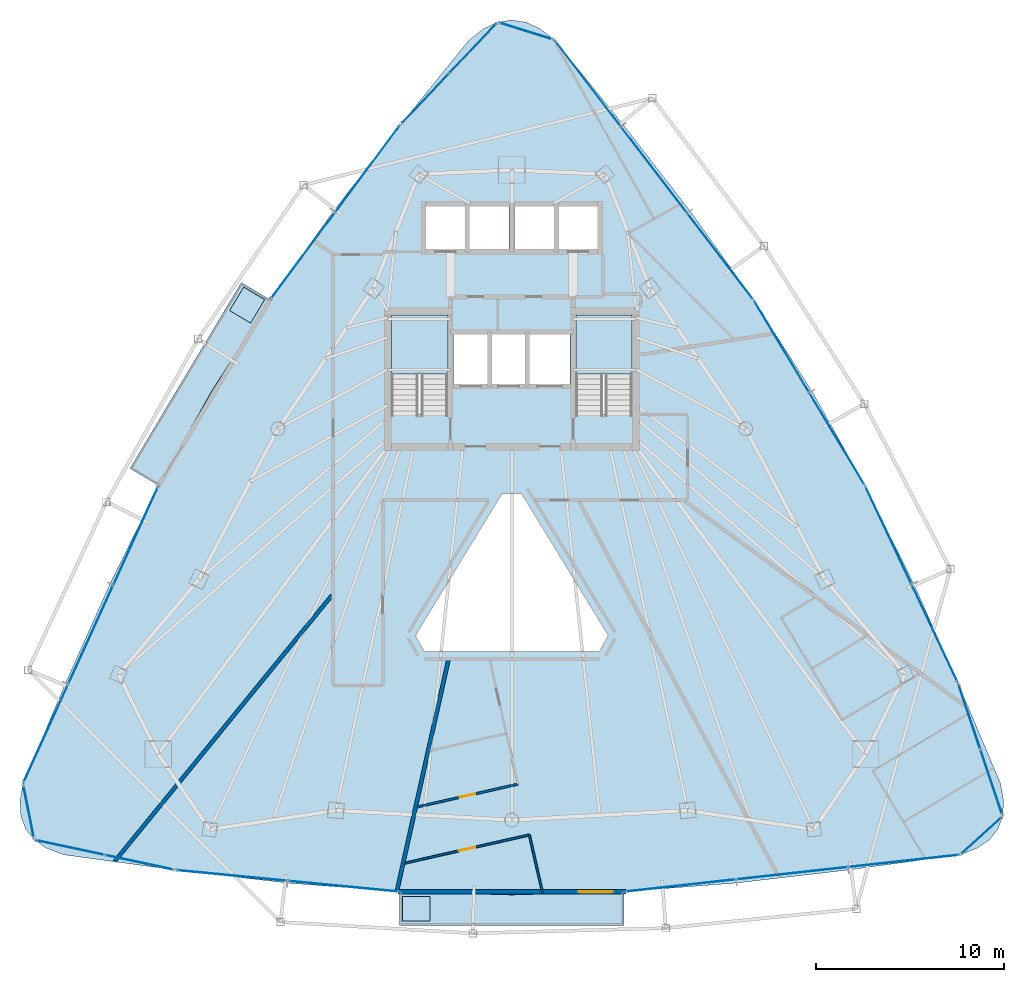
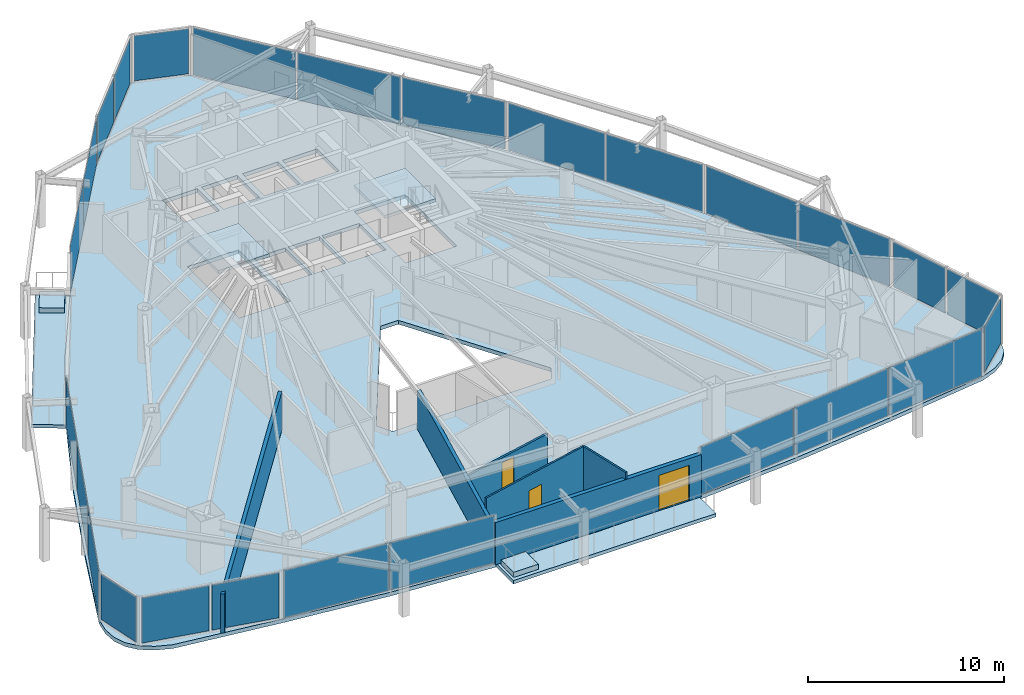
# One storey, part 27 of 33: 26 plates, 7 slabs, 6 walls, 3 doors, 3 openings, 15 elements without a shape of their own.
"""IFC4 building model written with IfcOpenShell, lengths in metres."""

from ifc_helpers import new_model, si_unit, direction, frame, frame_2d, origin, origin_2d, place, context, subcontext, project, spatial, polyline, rectangle, outline, extrude, material, layer, layer_set, type_object, element, fill, aggregate, save


model = new_model("IFC4")

# Units and contexts
model_context = context("Model", 3, precision=1e-05, world=origin(), true_north=direction((0.0, 1.0)))
body_context = subcontext(model_context, "Body", "Model", "MODEL_VIEW")
ifc_project = project(units=[si_unit("LENGTHUNIT", "METRE"), si_unit("AREAUNIT", "SQUARE_METRE"), si_unit("VOLUMEUNIT", "CUBIC_METRE"), si_unit("PLANEANGLEUNIT", "RADIAN"), si_unit("MASSUNIT", "GRAM", prefix="KILO")], contexts=[model_context])

# Site, building, storey
site_placement = place(None, origin())
site = spatial("IfcSite", under=ifc_project, at=site_placement, CompositionType="ELEMENT")
building_placement = place(site_placement, origin())
building = spatial("IfcBuilding", under=site, at=building_placement, Name="Orvanel Arch Residences", CompositionType="ELEMENT")
storey_placement = place(building_placement, frame((0.0, 0.0, 116.60009765625)))
storey = spatial("IfcBuildingStorey", under=building, at=storey_placement, Name="L32", CompositionType="ELEMENT", Elevation=116.60009765625)

# Curtain wall, plates
ifc_material_1 = material(Name="Bronze-anodised aluminium AA6063-T6", Category="aluminium")
ifc_layer_1 = layer(ifc_material_1, 0.179931640625)
ifc_layer_set_1 = layer_set([ifc_layer_1], Name="Bronze-anodised aluminium AA6063-T6")
curtain_wall_type_1 = type_object("IfcCurtainWallType", Name="CW3-MID-SYS", PredefinedType="NOTDEFINED", material=ifc_layer_set_1)
curtain_wall_1_placement = place(storey_placement, origin())
curtain_wall_1 = element("IfcCurtainWall", 1, at=curtain_wall_1_placement, inside=storey, type_object=curtain_wall_type_1, Name="L32 CW3-MID-SYS Unitised Curtain Wall", PredefinedType="NOTDEFINED")
ifc_material_2 = material(Name="Double-glazed solar-control low-E safety glass", Category="glass")
ifc_layer_2 = layer(ifc_material_2, 0.028076171875)
ifc_layer_set_2 = layer_set([ifc_layer_2], Name="Double-glazed solar-control low-E safety glass")
plate_type_1 = type_object("IfcPlateType", Name="PNL-GLZ-28", PredefinedType="CURTAIN_PANEL", material=ifc_layer_set_2)
plate_1_placement = place(storey_placement, frame((25.31982421875, 41.446044921875, 0.059814453125), z_axis=(0.0, 0.0, 1.0), x_axis=(-0.59716769739, -0.802116413742, 0.0)))
plate_1 = element("IfcPlate", 2, at=plate_1_placement, type_object=plate_type_1, Name="CW-S3 panel 1.1", PredefinedType="CURTAIN_PANEL", context=body_context, shape_type="SweptSolid", body=[
    extrude(rectangle(XDim=5.664794921875, YDim=0.028076171875, at=origin_2d()), origin(), (0.0, 0.0, 1.0), 2.93994140625),
])
plate_2_placement = place(storey_placement, frame((21.895263671875, 36.845947265625, 0.059814453125), z_axis=(0.0, 0.0, 1.0), x_axis=(-0.59716769739, -0.802116413742, 0.0)))
plate_2 = element("IfcPlate", 3, at=plate_2_placement, type_object=plate_type_1, Name="CW-S3 panel 2.1", PredefinedType="CURTAIN_PANEL", context=body_context, shape_type="SweptSolid", body=[
    extrude(rectangle(XDim=5.664794921875, YDim=0.028076171875, at=origin_2d()), origin(), (0.0, 0.0, 1.0), 2.93994140625),
])
aggregate(curtain_wall_1, [plate_1, plate_2])

curtain_wall_2_placement = place(storey_placement, origin())
curtain_wall_2 = element("IfcCurtainWall", 4, at=curtain_wall_2_placement, inside=storey, type_object=curtain_wall_type_1, Name="L32 CW3-MID-SYS Unitised Curtain Wall", PredefinedType="NOTDEFINED")
plate_3_placement = place(storey_placement, frame((13.010009765625, 21.955322265625, 0.059814453125), z_axis=(0.0, 0.0, 1.0), x_axis=(-0.414115489097, -0.9102243469, 0.0)))
plate_3 = element("IfcPlate", 5, at=plate_3_placement, type_object=plate_type_1, Name="CW-S3 panel 1.1", PredefinedType="CURTAIN_PANEL", context=body_context, shape_type="SweptSolid", body=[
    extrude(rectangle(XDim=5.679931640625, YDim=0.028076171875, at=origin_2d()), origin(), (0.0, 0.0, 1.0), 2.93994140625),
])
plate_4_placement = place(storey_placement, frame((10.62158203125, 16.70556640625, 0.059814453125), z_axis=(0.0, 0.0, 1.0), x_axis=(-0.414115489097, -0.9102243469, 0.0)))
plate_4 = element("IfcPlate", 6, at=plate_4_placement, type_object=plate_type_1, Name="CW-S3 panel 2.1", PredefinedType="CURTAIN_PANEL", context=body_context, shape_type="SweptSolid", body=[
    extrude(rectangle(XDim=5.715087890625, YDim=0.028076171875, at=origin_2d()), origin(), (0.0, 0.0, 1.0), 2.93994140625),
])
plate_5_placement = place(storey_placement, frame((8.233154296875, 11.455810546875, 0.059814453125), z_axis=(0.0, 0.0, 1.0), x_axis=(-0.414115489097, -0.9102243469, 0.0)))
plate_5 = element("IfcPlate", 7, at=plate_5_placement, type_object=plate_type_1, Name="CW-S3 panel 3.1", PredefinedType="CURTAIN_PANEL", context=body_context, shape_type="SweptSolid", body=[
    extrude(rectangle(XDim=5.679931640625, YDim=0.028076171875, at=origin_2d()), origin(), (0.0, 0.0, 1.0), 2.93994140625),
])
aggregate(curtain_wall_2, [plate_3, plate_4, plate_5])

curtain_wall_3_placement = place(storey_placement, origin())
curtain_wall_3 = element("IfcCurtainWall", 8, at=curtain_wall_3_placement, inside=storey, type_object=curtain_wall_type_1, Name="L32 CW3-MID-SYS Unitised Curtain Wall", PredefinedType="NOTDEFINED")
plate_6_placement = place(storey_placement, frame((18.130615234375, 3.894287109375, 0.059814453125), z_axis=(0.0, 0.0, 1.0), x_axis=(0.995361152197, -0.09620902607, 0.0)))
plate_6 = element("IfcPlate", 9, at=plate_6_placement, type_object=plate_type_1, Name="CW-S3 panel 1.1", PredefinedType="CURTAIN_PANEL", context=body_context, shape_type="SweptSolid", body=[
    extrude(rectangle(XDim=5.861083984375, YDim=0.028076171875, at=origin_2d()), origin(), (0.0, 0.0, 1.0), 2.93994140625),
])
plate_7_placement = place(storey_placement, frame((24.034423828125, 3.32373046875, 0.059814453125), z_axis=(0.0, 0.0, 1.0), x_axis=(0.995361152197, -0.09620902607, 0.0)))
plate_7 = element("IfcPlate", 10, at=plate_7_placement, type_object=plate_type_1, Name="CW-S3 panel 2.1", PredefinedType="CURTAIN_PANEL", context=body_context, shape_type="SweptSolid", body=[
    extrude(rectangle(XDim=5.861083984375, YDim=0.028076171875, at=origin_2d()), origin(), (0.0, 0.0, 1.0), 2.93994140625),
])
aggregate(curtain_wall_3, [plate_6, plate_7])

curtain_wall_4_placement = place(storey_placement, origin())
curtain_wall_4 = element("IfcCurtainWall", 11, at=curtain_wall_4_placement, inside=storey, type_object=curtain_wall_type_1, Name="L32 CW3-MID-SYS Unitised Curtain Wall", PredefinedType="NOTDEFINED")
plate_8_placement = place(storey_placement, frame((41.968994140625, 3.364013671875, 0.059814453125), z_axis=(0.0, 0.0, 1.0), x_axis=(0.99399805501, 0.109397745116, 0.0)))
plate_8 = element("IfcPlate", 12, at=plate_8_placement, type_object=plate_type_1, Name="CW-S3 panel 1.1", PredefinedType="CURTAIN_PANEL", context=body_context, shape_type="SweptSolid", body=[
    extrude(rectangle(XDim=5.876220703125, YDim=0.028076171875, at=origin_2d()), origin(), (0.0, 0.0, 1.0), 2.93994140625),
])
plate_9_placement = place(storey_placement, frame((47.89697265625, 4.0166015625, 0.059814453125), z_axis=(0.0, 0.0, 1.0), x_axis=(0.99399805501, 0.109397745116, 0.0)))
plate_9 = element("IfcPlate", 13, at=plate_9_placement, type_object=plate_type_1, Name="CW-S3 panel 2.1", PredefinedType="CURTAIN_PANEL", context=body_context, shape_type="SweptSolid", body=[
    extrude(rectangle(XDim=5.9111328125, YDim=0.028076171875, at=origin_2d()), origin(), (0.0, 0.0, 1.0), 2.93994140625),
])
plate_10_placement = place(storey_placement, frame((53.824951171875, 4.6689453125, 0.059814453125), z_axis=(0.0, 0.0, 1.0), x_axis=(0.99399805501, 0.109397745116, 0.0)))
plate_10 = element("IfcPlate", 14, at=plate_10_placement, type_object=plate_type_1, Name="CW-S3 panel 3.1", PredefinedType="CURTAIN_PANEL", context=body_context, shape_type="SweptSolid", body=[
    extrude(rectangle(XDim=5.876220703125, YDim=0.028076171875, at=origin_2d()), origin(), (0.0, 0.0, 1.0), 2.93994140625),
])
aggregate(curtain_wall_4, [plate_8, plate_9, plate_10])

curtain_wall_5_placement = place(storey_placement, origin())
curtain_wall_5 = element("IfcCurtainWall", 15, at=curtain_wall_5_placement, inside=storey, type_object=curtain_wall_type_1, Name="L32 CW3-MID-SYS Unitised Curtain Wall", PredefinedType="NOTDEFINED")
plate_11_placement = place(storey_placement, frame((55.468505859375, 16.791259765625, 0.059814453125), z_axis=(0.0, 0.0, 1.0), x_axis=(-0.426364535184, 0.904551426474, 0.0)))
plate_11 = element("IfcPlate", 16, at=plate_11_placement, type_object=plate_type_1, Name="CW-S3 panel 1.1", PredefinedType="CURTAIN_PANEL", context=body_context, shape_type="SweptSolid", body=[
    extrude(rectangle(XDim=5.664794921875, YDim=0.028076171875, at=origin_2d()), origin(), (0.0, 0.0, 1.0), 2.93994140625),
])
plate_12_placement = place(storey_placement, frame((53.0234375, 21.978759765625, 0.059814453125), z_axis=(0.0, 0.0, 1.0), x_axis=(-0.426364535184, 0.904551426474, 0.0)))
plate_12 = element("IfcPlate", 17, at=plate_12_placement, type_object=plate_type_1, Name="CW-S3 panel 2.1", PredefinedType="CURTAIN_PANEL", context=body_context, shape_type="SweptSolid", body=[
    extrude(rectangle(XDim=5.664794921875, YDim=0.028076171875, at=origin_2d()), origin(), (0.0, 0.0, 1.0), 2.93994140625),
])
aggregate(curtain_wall_5, [plate_11, plate_12])

curtain_wall_6_placement = place(storey_placement, origin())
curtain_wall_6 = element("IfcCurtainWall", 18, at=curtain_wall_6_placement, inside=storey, type_object=curtain_wall_type_1, Name="L32 CW3-MID-SYS Unitised Curtain Wall", PredefinedType="NOTDEFINED")
plate_13_placement = place(storey_placement, frame((50.28125, 27.115478515625, 0.059814453125), z_axis=(0.0, 0.0, 1.0), x_axis=(-0.514457331608, 0.857515978834, 0.0)))
plate_13 = element("IfcPlate", 19, at=plate_13_placement, type_object=plate_type_1, Name="CW-S3 panel 1.1", PredefinedType="CURTAIN_PANEL", context=body_context, shape_type="SweptSolid", body=[
    extrude(rectangle(XDim=5.635986328125, YDim=0.028076171875, at=origin_2d()), origin(), (0.0, 0.0, 1.0), 2.93994140625),
])
plate_14_placement = place(storey_placement, frame((47.345703125, 32.008544921875, 0.059814453125), z_axis=(0.0, 0.0, 1.0), x_axis=(-0.514457331608, 0.857515978834, 0.0)))
plate_14 = element("IfcPlate", 20, at=plate_14_placement, type_object=plate_type_1, Name="CW-S3 panel 2.1", PredefinedType="CURTAIN_PANEL", context=body_context, shape_type="SweptSolid", body=[
    extrude(rectangle(XDim=5.635986328125, YDim=0.028076171875, at=origin_2d()), origin(), (0.0, 0.0, 1.0), 2.93994140625),
])
aggregate(curtain_wall_6, [plate_13, plate_14])

curtain_wall_7_placement = place(storey_placement, origin())
curtain_wall_7 = element("IfcCurtainWall", 21, at=curtain_wall_7_placement, inside=storey, type_object=curtain_wall_type_1, Name="L32 CW3-MID-SYS Unitised Curtain Wall", PredefinedType="NOTDEFINED")
plate_15_placement = place(storey_placement, frame((44.068603515625, 36.828125, 0.059814453125), z_axis=(0.0, 0.0, 1.0), x_axis=(-0.608091558713, 0.793866900823, 0.0)))
plate_15 = element("IfcPlate", 22, at=plate_15_placement, type_object=plate_type_1, Name="CW-S3 panel 1.1", PredefinedType="CURTAIN_PANEL", context=body_context, shape_type="SweptSolid", body=[
    extrude(rectangle(XDim=5.6796875, YDim=0.028076171875, at=origin_2d()), origin(), (0.0, 0.0, 1.0), 2.93994140625),
])
plate_16_placement = place(storey_placement, frame((40.5615234375, 41.406494140625, 0.059814453125), z_axis=(0.0, 0.0, 1.0), x_axis=(-0.608091558713, 0.793866900823, 0.0)))
plate_16 = element("IfcPlate", 23, at=plate_16_placement, type_object=plate_type_1, Name="CW-S3 panel 2.1", PredefinedType="CURTAIN_PANEL", context=body_context, shape_type="SweptSolid", body=[
    extrude(rectangle(XDim=5.71484375, YDim=0.028076171875, at=origin_2d()), origin(), (0.0, 0.0, 1.0), 2.93994140625),
])
plate_17_placement = place(storey_placement, frame((37.054443359375, 45.98486328125, 0.059814453125), z_axis=(0.0, 0.0, 1.0), x_axis=(-0.608091558713, 0.793866900823, 0.0)))
plate_17 = element("IfcPlate", 24, at=plate_17_placement, type_object=plate_type_1, Name="CW-S3 panel 3.1", PredefinedType="CURTAIN_PANEL", context=body_context, shape_type="SweptSolid", body=[
    extrude(rectangle(XDim=5.6796875, YDim=0.028076171875, at=origin_2d()), origin(), (0.0, 0.0, 1.0), 2.93994140625),
])
aggregate(curtain_wall_7, [plate_15, plate_16, plate_17])

# Curtain wall, plate
ifc_layer_3 = layer(ifc_material_1, 0.18994140625)
ifc_layer_set_3 = layer_set([ifc_layer_3], Name="Bronze-anodised aluminium AA6063-T6")
curtain_wall_type_2 = type_object("IfcCurtainWallType", Name="CW5-CRN-SYS", PredefinedType="NOTDEFINED", material=ifc_layer_set_3)
curtain_wall_8_placement = place(storey_placement, origin())
curtain_wall_8 = element("IfcCurtainWall", 25, at=curtain_wall_8_placement, inside=storey, type_object=curtain_wall_type_2, Name="L32 CW5-CRN-SYS Unitised Curtain Wall", PredefinedType="NOTDEFINED")
ifc_layer_4 = layer(ifc_material_2, 0.031982421875)
ifc_layer_set_4 = layer_set([ifc_layer_4], Name="Double-glazed solar-control low-E safety glass")
plate_type_2 = type_object("IfcPlateType", Name="PNL-GLZ-32", PredefinedType="CURTAIN_PANEL", material=ifc_layer_set_4)
plate_18_placement = place(storey_placement, frame((33.757568359375, 48.782470703125, 0.1298828125), z_axis=(0.0, 0.0, 1.0), x_axis=(-0.954870852433, 0.297021304243, 0.0)))
plate_18 = element("IfcPlate", 26, at=plate_18_placement, type_object=plate_type_2, Name="CW-S5 panel 1.1", PredefinedType="CURTAIN_PANEL", context=body_context, shape_type="SweptSolid", body=[
    extrude(rectangle(XDim=2.83447265625, YDim=0.031982421875, at=origin_2d()), origin(), (0.0, 0.0, 1.0), 2.800048828125),
])
aggregate(curtain_wall_8, [plate_18])

# Curtain wall, plates
curtain_wall_9_placement = place(storey_placement, origin())
curtain_wall_9 = element("IfcCurtainWall", 27, at=curtain_wall_9_placement, inside=storey, type_object=curtain_wall_type_2, Name="L32 CW5-CRN-SYS Unitised Curtain Wall", PredefinedType="NOTDEFINED")
plate_19_placement = place(storey_placement, frame((30.9150390625, 47.853271484375, 0.1298828125), z_axis=(0.0, 0.0, 1.0), x_axis=(-0.687815043505, -0.725885986866, 0.0)))
plate_19 = element("IfcPlate", 28, at=plate_19_placement, type_object=plate_type_2, Name="CW-S5 panel 1.1", PredefinedType="CURTAIN_PANEL", context=body_context, shape_type="SweptSolid", body=[
    extrude(rectangle(XDim=3.51806640625, YDim=0.031982421875, at=origin_2d()), origin(), (0.0, 0.0, 1.0), 2.800048828125),
])
plate_20_placement = place(storey_placement, frame((28.39208984375, 45.190673828125, 0.1298828125), z_axis=(0.0, 0.0, 1.0), x_axis=(-0.687815043505, -0.725885986866, 0.0)))
plate_20 = element("IfcPlate", 29, at=plate_20_placement, type_object=plate_type_2, Name="CW-S5 panel 2.1", PredefinedType="CURTAIN_PANEL", context=body_context, shape_type="SweptSolid", body=[
    extrude(rectangle(XDim=3.51806640625, YDim=0.031982421875, at=origin_2d()), origin(), (0.0, 0.0, 1.0), 2.800048828125),
])
aggregate(curtain_wall_9, [plate_19, plate_20])

# Curtain wall, plate
curtain_wall_10_placement = place(storey_placement, origin())
curtain_wall_10 = element("IfcCurtainWall", 30, at=curtain_wall_10_placement, inside=storey, type_object=curtain_wall_type_2, Name="L32 CW5-CRN-SYS Unitised Curtain Wall", PredefinedType="NOTDEFINED")
plate_21_placement = place(storey_placement, frame((7.318603515625, 7.2900390625, 0.1298828125), z_axis=(0.0, 0.0, 1.0), x_axis=(0.195287172151, -0.98074610394, 0.0)))
plate_21 = element("IfcPlate", 31, at=plate_21_placement, type_object=plate_type_2, Name="CW-S5 panel 1.1", PredefinedType="CURTAIN_PANEL", context=body_context, shape_type="SweptSolid", body=[
    extrude(rectangle(XDim=2.716064453125, YDim=0.031982421875, at=origin_2d()), origin(), (0.0, 0.0, 1.0), 2.800048828125),
])
aggregate(curtain_wall_10, [plate_21])

# Curtain wall, plates
curtain_wall_11_placement = place(storey_placement, origin())
curtain_wall_11 = element("IfcCurtainWall", 32, at=curtain_wall_11_placement, inside=storey, type_object=curtain_wall_type_2, Name="L32 CW5-CRN-SYS Unitised Curtain Wall", PredefinedType="NOTDEFINED")
plate_22_placement = place(storey_placement, frame((9.54052734375, 5.379638671875, 0.1298828125), z_axis=(0.0, 0.0, 1.0), x_axis=(0.977857956669, -0.20926972208, 0.0)))
plate_22 = element("IfcPlate", 33, at=plate_22_placement, type_object=plate_type_2, Name="CW-S5 panel 1.1", PredefinedType="CURTAIN_PANEL", context=body_context, shape_type="SweptSolid", body=[
    extrude(rectangle(XDim=3.593017578125, YDim=0.031982421875, at=origin_2d()), origin(), (0.0, 0.0, 1.0), 2.800048828125),
])
plate_23_placement = place(storey_placement, frame((13.20068359375, 4.596435546875, 0.1298828125), z_axis=(0.0, 0.0, 1.0), x_axis=(0.977857956669, -0.20926972208, 0.0)))
plate_23 = element("IfcPlate", 34, at=plate_23_placement, type_object=plate_type_2, Name="CW-S5 panel 2.1", PredefinedType="CURTAIN_PANEL", context=body_context, shape_type="SweptSolid", body=[
    extrude(rectangle(XDim=3.593017578125, YDim=0.031982421875, at=origin_2d()), origin(), (0.0, 0.0, 1.0), 2.800048828125),
])
aggregate(curtain_wall_11, [plate_22, plate_23])

# Curtain wall, plate
curtain_wall_12_placement = place(storey_placement, origin())
curtain_wall_12 = element("IfcCurtainWall", 35, at=curtain_wall_12_placement, inside=storey, type_object=curtain_wall_type_2, Name="L32 CW5-CRN-SYS Unitised Curtain Wall", PredefinedType="NOTDEFINED")
plate_24_placement = place(storey_placement, frame((57.966064453125, 6.027099609375, 0.1298828125), z_axis=(0.0, 0.0, 1.0), x_axis=(0.740120098488, 0.672474713141, 0.0)))
plate_24 = element("IfcPlate", 36, at=plate_24_placement, type_object=plate_type_2, Name="CW-S5 panel 1.1", PredefinedType="CURTAIN_PANEL", context=body_context, shape_type="SweptSolid", body=[
    extrude(rectangle(XDim=2.7158203125, YDim=0.031982421875, at=origin_2d()), origin(), (0.0, 0.0, 1.0), 2.800048828125),
])
aggregate(curtain_wall_12, [plate_24])

# Curtain wall, plates
curtain_wall_13_placement = place(storey_placement, origin())
curtain_wall_13 = element("IfcCurtainWall", 37, at=curtain_wall_13_placement, inside=storey, type_object=curtain_wall_type_2, Name="L32 CW5-CRN-SYS Unitised Curtain Wall", PredefinedType="NOTDEFINED")
plate_25_placement = place(storey_placement, frame((58.486572265625, 8.87255859375, 0.1298828125), z_axis=(0.0, 0.0, 1.0), x_axis=(-0.318403361888, 0.947955325497, 0.0)))
plate_25 = element("IfcPlate", 38, at=plate_25_placement, type_object=plate_type_2, Name="CW-S5 panel 1.1", PredefinedType="CURTAIN_PANEL", context=body_context, shape_type="SweptSolid", body=[
    extrude(rectangle(XDim=3.49658203125, YDim=0.031982421875, at=origin_2d()), origin(), (0.0, 0.0, 1.0), 2.800048828125),
])
plate_26_placement = place(storey_placement, frame((57.325439453125, 12.329345703125, 0.1298828125), z_axis=(0.0, 0.0, 1.0), x_axis=(-0.318403361888, 0.947955325497, 0.0)))
plate_26 = element("IfcPlate", 39, at=plate_26_placement, type_object=plate_type_2, Name="CW-S5 panel 2.1", PredefinedType="CURTAIN_PANEL", context=body_context, shape_type="SweptSolid", body=[
    extrude(rectangle(XDim=3.49658203125, YDim=0.031982421875, at=origin_2d()), origin(), (0.0, 0.0, 1.0), 2.800048828125),
])
aggregate(curtain_wall_13, [plate_25, plate_26])

# Slabs
ifc_material_3 = material(Name="Concrete N40 (40 MPa)", Category="concrete")
ifc_layer_5 = layer(ifc_material_3, 0.215087890625)
ifc_layer_set_5 = layer_set([ifc_layer_5], Name="Concrete N40 (40 MPa)")
slab_type_1 = type_object("IfcSlabType", Name="SLB-BAL-215", PredefinedType="FLOOR", material=ifc_layer_set_5)
slab_1_placement = place(storey_placement, frame((0.0, 0.0, -0.215087890625)))
element("IfcSlab", 40, at=slab_1_placement, inside=storey, type_object=slab_type_1, Name="L32 Cantilevered Balcony Slab Face 1", PredefinedType="FLOOR", context=body_context, shape_type="SweptSolid", body=[
    extrude(outline(polyline([(18.6240234375, 35.41796875), (12.697021484375, 25.537109375), (14.222900390625, 24.6220703125), (17.047119140625, 29.64501953125), (20.14990234375, 34.501953125), (18.6240234375, 35.41796875)])), origin(), (0.0, 0.0, 1.0), 0.215087890625),
])
slab_2_placement = place(storey_placement, frame((0.0, 0.0, -0.215087890625)))
element("IfcSlab", 41, at=slab_2_placement, inside=storey, type_object=slab_type_1, Name="L32 Cantilevered Balcony Slab Face 2", PredefinedType="FLOOR", context=body_context, shape_type="SweptSolid", body=[
    extrude(outline(polyline([(27.041015625, 1.2529296875), (38.958984375, 1.2529296875), (38.958984375, 3.032958984375), (33.0, 2.8701171875), (27.041015625, 3.032958984375), (27.041015625, 1.2529296875)])), origin(), (0.0, 0.0, 1.0), 0.215087890625),
])

# Stair, slab
ifc_material_4 = material(Name="Precast concrete N50 (50 MPa)", Category="concrete")
stair_type = type_object("IfcStairType", Name="STR-DOG-184", PredefinedType="USERDEFINED", material=ifc_material_4)
stair_1_placement = place(storey_placement, origin())
stair_1 = element("IfcStair", 42, at=stair_1_placement, inside=storey, type_object=stair_type, Name="L32 Fire-Isolated Core Exit Stair 1", ObjectType="TWO_RETURN_STAIR", PredefinedType="USERDEFINED")
ifc_layer_6 = layer(ifc_material_3, 0.199951171875)
ifc_layer_set_6 = layer_set([ifc_layer_6], Name="Concrete N40 (40 MPa)")
slab_type_2 = type_object("IfcSlabType", Name="SLB-LND-200", PredefinedType="LANDING", material=ifc_layer_set_6)
slab_3_placement = place(storey_placement, frame((0.0, 0.0, 1.449951171875)))
slab_3 = element("IfcSlab", 43, at=slab_3_placement, type_object=slab_type_2, Name="ST-1 landing 1", PredefinedType="LANDING", context=body_context, shape_type="SweptSolid", body=[
    extrude(outline(polyline([(29.60009765625, 30.56005859375), (29.60009765625, 33.699951171875), (26.60009765625, 33.699951171875), (26.60009765625, 30.56005859375), (29.60009765625, 30.56005859375)])), origin(), (0.0, 0.0, 1.0), 0.199951171875),
])
aggregate(stair_1, [slab_3])

stair_2_placement = place(storey_placement, origin())
stair_2 = element("IfcStair", 44, at=stair_2_placement, inside=storey, type_object=stair_type, Name="L32 Fire-Isolated Core Exit Stair 2", ObjectType="TWO_RETURN_STAIR", PredefinedType="USERDEFINED")
slab_4_placement = place(storey_placement, frame((0.0, 0.0, 1.449951171875)))
slab_4 = element("IfcSlab", 45, at=slab_4_placement, type_object=slab_type_2, Name="ST-2 landing 1", PredefinedType="LANDING", context=body_context, shape_type="SweptSolid", body=[
    extrude(outline(polyline([(39.39990234375, 30.56005859375), (39.39990234375, 33.699951171875), (36.39990234375, 33.699951171875), (36.39990234375, 30.56005859375), (39.39990234375, 30.56005859375)])), origin(), (0.0, 0.0, 1.0), 0.199951171875),
])
aggregate(stair_2, [slab_4])

# Slabs
ifc_material_5 = material(Name="Structural architectural precast concrete N40 (40 MPa) planter", Category="concrete")
ifc_layer_7 = layer(ifc_material_5, 0.320068359375)
ifc_layer_set_7 = layer_set([ifc_layer_7], Name="Structural architectural precast concrete N40 (40 MPa) planter")
slab_type_3 = type_object("IfcSlabType", Name="SLB-PLN-320", PredefinedType="USERDEFINED", material=ifc_layer_set_7)
slab_5_placement = place(storey_placement, origin())
element("IfcSlab", 46, at=slab_5_placement, inside=storey, type_object=slab_type_3, Name="L32 Balcony TREE PLANTER Face 1", ObjectType="PLANTER", PredefinedType="USERDEFINED", context=body_context, shape_type="SweptSolid", body=[
    extrude(outline(polyline([(18.743896484375, 35.1708984375), (17.998046875, 33.927978515625), (19.113037109375, 33.259033203125), (19.85791015625, 34.501953125), (18.743896484375, 35.1708984375)])), origin(), (0.0, 0.0, 1.0), 0.31982421875),
])
slab_6_placement = place(storey_placement, origin())
element("IfcSlab", 47, at=slab_6_placement, inside=storey, type_object=slab_type_3, Name="L32 Balcony TREE PLANTER Face 2", ObjectType="PLANTER", PredefinedType="USERDEFINED", context=body_context, shape_type="SweptSolid", body=[
    extrude(outline(polyline([(27.19091796875, 1.48291015625), (28.64111328125, 1.48291015625), (28.64111328125, 2.782958984375), (27.19091796875, 2.782958984375), (27.19091796875, 1.48291015625)])), origin(), (0.0, 0.0, 1.0), 0.31982421875),
])
ifc_layer_8 = layer(ifc_material_3, 0.239990234375)
ifc_layer_set_8 = layer_set([ifc_layer_8], Name="Concrete N40 (40 MPa)")
slab_type_4 = type_object("IfcSlabType", Name="SLB-TYP-240", PredefinedType="FLOOR", material=ifc_layer_set_8)
slab_7_placement = place(storey_placement, frame((0.0, 0.0, -0.239990234375)))
element("IfcSlab", 48, at=slab_7_placement, inside=storey, type_object=slab_type_4, Name="L32 Tower Floor Slab", PredefinedType="FLOOR", context=body_context, shape_type="SweptSolid", body=[
    extrude(outline(polyline([(35.27294921875, 48.31103515625), (34.514892578125, 48.90087890625), (33.758056640625, 49.25390625), (33.0, 49.3720703125), (32.241943359375, 49.25390625), (31.485107421875, 48.90087890625), (30.72705078125, 48.31103515625), (27.06494140625, 43.7900390625), (23.509033203125, 39.205078125), (20.14990234375, 34.501953125), (17.047119140625, 29.64501953125), (14.222900390625, 24.6220703125), (11.655029296875, 19.444091796875), (9.283935546875, 14.14794921875), (7.02001953125, 8.7890625), (6.85693359375, 7.862060546875), (6.902099609375, 7.053955078125), (7.156005859375, 6.364013671875), (7.616943359375, 5.791015625), (8.287109375, 5.3369140625), (9.1650390625, 5.0), (15.1240234375, 4.18505859375), (21.0830078125, 3.493896484375), (27.041015625, 3.032958984375), (33.0, 2.8701171875), (38.958984375, 3.032958984375), (44.9169921875, 3.493896484375), (50.8759765625, 4.18505859375), (56.8349609375, 5.0), (57.712890625, 5.3369140625), (58.383056640625, 5.791015625), (58.843994140625, 6.364013671875), (59.096923828125, 7.053955078125), (59.14306640625, 7.862060546875), (58.97998046875, 8.7890625), (56.715087890625, 14.14794921875), (54.343994140625, 19.444091796875), (51.777099609375, 24.6220703125), (48.952880859375, 29.64501953125), (45.85009765625, 34.501953125), (42.490966796875, 39.205078125), (38.93505859375, 43.7900390625), (35.27294921875, 48.31103515625)]), holes=[polyline([(26.60009765625, 28.429931640625), (26.60009765625, 33.699951171875), (29.60009765625, 33.699951171875), (29.60009765625, 28.429931640625), (26.60009765625, 28.429931640625)]), polyline([(36.39990234375, 28.429931640625), (36.39990234375, 33.699951171875), (39.39990234375, 33.699951171875), (39.39990234375, 28.429931640625), (36.39990234375, 28.429931640625)]), polyline([(29.89990234375, 32.64990234375), (31.75, 32.64990234375), (31.75, 29.949951171875), (29.89990234375, 29.949951171875), (29.89990234375, 32.64990234375)]), polyline([(31.89990234375, 32.64990234375), (33.75, 32.64990234375), (33.75, 29.949951171875), (31.89990234375, 29.949951171875), (31.89990234375, 32.64990234375)]), polyline([(33.89990234375, 32.64990234375), (36.10009765625, 32.64990234375), (36.10009765625, 29.949951171875), (33.89990234375, 29.949951171875), (33.89990234375, 32.64990234375)]), polyline([(28.449951171875, 39.449951171875), (30.5, 39.449951171875), (30.5, 37.199951171875), (28.449951171875, 37.199951171875), (28.449951171875, 39.449951171875)]), polyline([(35.5, 39.449951171875), (37.550048828125, 39.449951171875), (37.550048828125, 37.199951171875), (35.5, 37.199951171875), (35.5, 39.449951171875)]), polyline([(30.75, 39.449951171875), (32.85009765625, 39.449951171875), (32.85009765625, 37.199951171875), (30.75, 37.199951171875), (30.75, 39.449951171875)]), polyline([(33.14990234375, 39.449951171875), (35.25, 39.449951171875), (35.25, 37.199951171875), (33.14990234375, 37.199951171875), (33.14990234375, 39.449951171875)]), polyline([(38.131103515625, 16.656982421875), (37.654052734375, 15.805908203125), (28.345947265625, 15.805908203125), (27.868896484375, 16.656982421875), (32.47998046875, 24.198974609375), (33.52001953125, 24.198974609375), (38.131103515625, 16.656982421875)])]), origin(), (0.0, 0.0, 1.0), 0.239990234375),
])

# Wall, opening, door
ifc_layer_9 = layer(ifc_material_4, 0.239990234375)
ifc_layer_set_9 = layer_set([ifc_layer_9], Name="Precast concrete N50 (50 MPa)")
wall_type_1 = type_object("IfcWallType", Name="EW-BAL-240", PredefinedType="SOLIDWALL", material=ifc_layer_set_9)
wall_1_placement = place(storey_placement, frame((26.943115234375, 3.032958984375, 0.0), z_axis=(0.0, 0.0, 1.0), x_axis=(1.0, 0.0, 0.0)))
wall_1 = element("IfcWall", 49, at=wall_1_placement, inside=storey, type_object=wall_type_1, Name="L32 Balcony Threshold Wall Face 2", PredefinedType="SOLIDWALL", context=body_context, shape_type="SweptSolid", body=[
    extrude(rectangle(XDim=12.11376953125, YDim=0.239990234375, at=frame_2d((6.056884765625, 0.0))), origin(), (0.0, 0.0, 1.0), 2.6240234375),
])
opening_1_placement = place(wall_1_placement, frame((9.614990234375, 0.0, 0.0)))
opening_1 = element("IfcOpeningElement", 50, at=opening_1_placement, cuts=wall_1, Name="Opening DB-180", PredefinedType="OPENING", context=body_context, shape_type="SweptSolid", body=[
    extrude(rectangle(XDim=1.800048828125, YDim=2.199951171875, at=frame_2d((0.89990234375, 1.10009765625))), frame((0.0, 0.1298828125, 0.0), z_axis=(0.0, -1.0, 0.0), x_axis=(1.0, 0.0, 0.0)), (0.0, 0.0, 1.0), 0.260009765625),
])
door_type_1 = type_object("IfcDoorType", Name="DR-BAL-1800", OperationType="NOTDEFINED", PredefinedType="DOOR", material=ifc_material_1)
door_1_placement = place(opening_1_placement, origin())
door_1 = element("IfcDoor", 51, at=door_1_placement, inside=storey, type_object=door_type_1, Name="DR-L32-BAL-F2 L32 Planted Balcony Access Door Face 2", OperationType="SINGLE_SWING_LEFT", OverallHeight=2.199951171875, OverallWidth=1.800048828125, PredefinedType="DOOR", context=body_context, shape_type="SweptSolid", body=[
    extrude(rectangle(XDim=1.800048828125, YDim=2.199951171875, at=frame_2d((0.89990234375, 1.10009765625))), frame((0.0, 0.02490234375, 0.0), z_axis=(0.0, -1.0, 0.0), x_axis=(1.0, 0.0, 0.0)), (0.0, 0.0, 1.0), 0.050048828125),
])
fill(opening_1, door_1)

# Walls
ifc_material_6 = material(Name="Fire-rated plasterboard lined steel stud partition", Category="steel")
ifc_layer_10 = layer(ifc_material_6, 0.199951171875)
ifc_layer_set_10 = layer_set([ifc_layer_10], Name="Fire-rated plasterboard lined steel stud partition")
wall_type_2 = type_object("IfcWallType", Name="W-DEM-200", PredefinedType="PARTITIONING", material=ifc_layer_set_10)
wall_2_placement = place(storey_placement, frame((23.43994140625, 18.7939453125, 0.0), z_axis=(0.0, 0.0, 1.0), x_axis=(-0.632525219644, -0.774539764321, 0.0)))
element("IfcWall", 52, at=wall_2_placement, inside=storey, type_object=wall_type_2, Name="L32 Inter-Tenancy Acoustic Demising Wall", PredefinedType="PARTITIONING", context=body_context, shape_type="SweptSolid", body=[
    extrude(rectangle(XDim=18.2724609375, YDim=0.199951171875, at=frame_2d((9.13623046875, 0.0))), origin(), (0.0, 0.0, 1.0), 2.412841796875),
])
wall_3_placement = place(storey_placement, frame((26.89208984375, 3.05908203125, 0.0), z_axis=(0.0, 0.0, 1.0), x_axis=(0.217267240277, 0.97611215867, 0.0)))
element("IfcWall", 53, at=wall_3_placement, inside=storey, type_object=wall_type_2, Name="L32 Inter-Tenancy Acoustic Demising Wall", PredefinedType="PARTITIONING", context=body_context, shape_type="SweptSolid", body=[
    extrude(rectangle(XDim=12.587646484375, YDim=0.199951171875, at=frame_2d((6.2939453125, 0.0))), origin(), (0.0, 0.0, 1.0), 2.412841796875),
])
ifc_material_7 = material(Name="Acoustic plasterboard lined twin-stud partition", Category="gypsum")
ifc_layer_11 = layer(ifc_material_7, 0.10009765625)
ifc_layer_set_11 = layer_set([ifc_layer_11], Name="Acoustic plasterboard lined twin-stud partition")
wall_type_3 = type_object("IfcWallType", Name="W-INT-100", PredefinedType="PARTITIONING", material=ifc_layer_set_11)
wall_4_placement = place(storey_placement, frame((34.64404296875, 2.929931640625, 0.0), z_axis=(0.0, 0.0, 1.0), x_axis=(-0.22131804383, 0.975201683487, 0.0)))
element("IfcWall", 54, at=wall_4_placement, inside=storey, type_object=wall_type_3, Name="L32 Studio C Internal Partition", PredefinedType="PARTITIONING", context=body_context, shape_type="SweptSolid", body=[
    extrude(rectangle(XDim=3.203369140625, YDim=0.10009765625, at=frame_2d((1.6015625, 0.0))), origin(), (0.0, 0.0, 1.0), 3.059814453125),
])

# Wall, opening, door
wall_5_placement = place(storey_placement, frame((33.93505859375, 6.053955078125, 0.0), z_axis=(0.0, 0.0, 1.0), x_axis=(-0.975244308244, -0.221130140952, 0.0)))
wall_5 = element("IfcWall", 55, at=wall_5_placement, inside=storey, type_object=wall_type_3, Name="L32 Studio C Internal Partition", PredefinedType="PARTITIONING", context=body_context, shape_type="SweptSolid", body=[
    extrude(rectangle(XDim=6.792236328125, YDim=0.10009765625, at=frame_2d((3.39599609375, 0.0))), origin(), (0.0, 0.0, 1.0), 3.059814453125),
])
opening_2_placement = place(wall_5_placement, frame((2.9560546875, 0.0, 0.0)))
opening_2 = element("IfcOpeningElement", 56, at=opening_2_placement, cuts=wall_5, Name="Opening DI-088", PredefinedType="OPENING", context=body_context, shape_type="SweptSolid", body=[
    extrude(rectangle(XDim=0.8798828125, YDim=2.10009765625, at=frame_2d((0.43994140625, 1.050048828125))), frame((0.0, 0.06005859375, 0.0), z_axis=(0.0, -1.0, 0.0), x_axis=(1.0, 0.0, 0.0)), (0.0, 0.0, 1.0), 0.1201171875),
])
ifc_material_8 = material(Name="Solid-core European oak veneer fire door leaf", Category="wood")
door_type_2 = type_object("IfcDoorType", Name="DR-INT-880", OperationType="NOTDEFINED", PredefinedType="DOOR", material=ifc_material_8)
door_2_placement = place(opening_2_placement, origin())
door_2 = element("IfcDoor", 57, at=door_2_placement, inside=storey, type_object=door_type_2, Name="DR-L32-C-OFC1 L32 Studio C Home Work Office 2 Door", OperationType="SINGLE_SWING_LEFT", OverallHeight=2.10009765625, OverallWidth=0.8798828125, PredefinedType="DOOR", context=body_context, shape_type="SweptSolid", body=[
    extrude(rectangle(XDim=0.8798828125, YDim=2.10009765625, at=frame_2d((0.43994140625, 1.050048828125))), frame((0.0, 0.02490234375, 0.0), z_axis=(0.0, -1.0, 0.0), x_axis=(1.0, 0.0, 0.0)), (0.0, 0.0, 1.0), 0.050048828125),
])
fill(opening_2, door_2)

ifc_layer_12 = layer(ifc_material_7, 0.1201171875)
ifc_layer_set_12 = layer_set([ifc_layer_12], Name="Acoustic plasterboard lined twin-stud partition")
wall_type_4 = type_object("IfcWallType", Name="W-WET-120", PredefinedType="PARTITIONING", material=ifc_layer_set_12)
wall_6_placement = place(storey_placement, frame((27.97607421875, 7.5400390625, 0.0), z_axis=(0.0, 0.0, 1.0), x_axis=(0.975262605336, 0.221049430295, 0.0)))
wall_6 = element("IfcWall", 58, at=wall_6_placement, inside=storey, type_object=wall_type_4, Name="L32 Studio C Bathroom Partition", PredefinedType="PARTITIONING", context=body_context, shape_type="SweptSolid", body=[
    extrude(rectangle(XDim=5.482666015625, YDim=0.1201171875, at=frame_2d((2.7412109375, 0.0))), origin(), (0.0, 0.0, 1.0), 2.412841796875),
])
opening_3_placement = place(wall_6_placement, frame((2.3310546875, 0.0, 0.0)))
opening_3 = element("IfcOpeningElement", 59, at=opening_3_placement, cuts=wall_6, Name="Opening DW-082", PredefinedType="OPENING", context=body_context, shape_type="SweptSolid", body=[
    extrude(rectangle(XDim=0.820068359375, YDim=2.10009765625, at=frame_2d((0.41015625, 1.050048828125))), frame((0.0, 0.070068359375, 0.0), z_axis=(0.0, -1.0, 0.0), x_axis=(1.0, 0.0, 0.0)), (0.0, 0.0, 1.0), 0.14013671875),
])
door_type_3 = type_object("IfcDoorType", Name="DR-WET-820", OperationType="NOTDEFINED", PredefinedType="DOOR", material=ifc_material_8)
door_3_placement = place(opening_3_placement, origin())
door_3 = element("IfcDoor", 60, at=door_3_placement, inside=storey, type_object=door_type_3, Name="DR-L32-C-BATH L32 Studio C Bathroom Door", OperationType="SINGLE_SWING_RIGHT", OverallHeight=2.10009765625, OverallWidth=0.820068359375, PredefinedType="DOOR", context=body_context, shape_type="SweptSolid", body=[
    extrude(rectangle(XDim=0.820068359375, YDim=2.10009765625, at=frame_2d((0.41015625, 1.050048828125))), frame((0.0, 0.02490234375, 0.0), z_axis=(0.0, -1.0, 0.0), x_axis=(1.0, 0.0, 0.0)), (0.0, 0.0, 1.0), 0.050048828125),
])
fill(opening_3, door_3)

save(model, "model.ifc")
